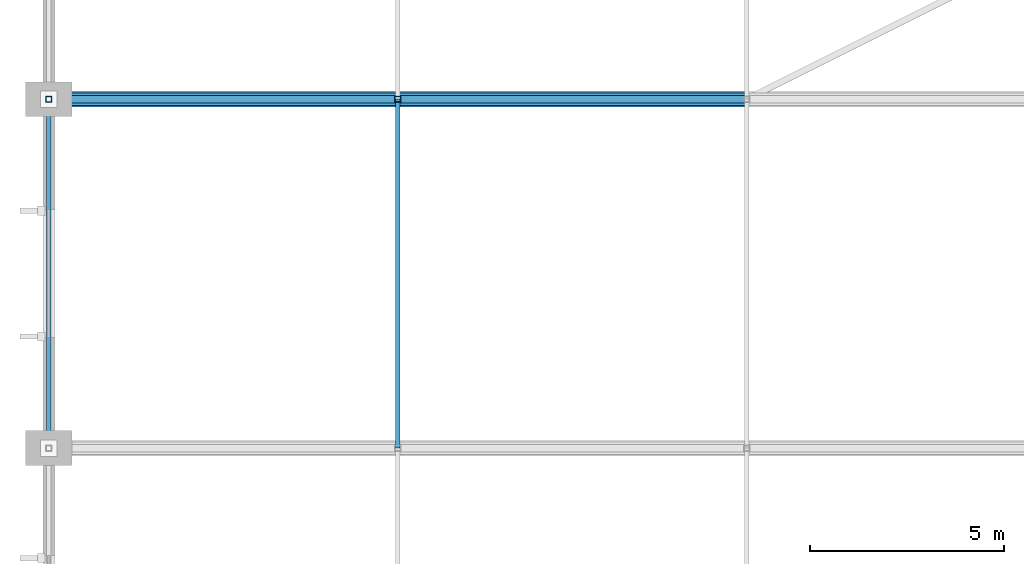
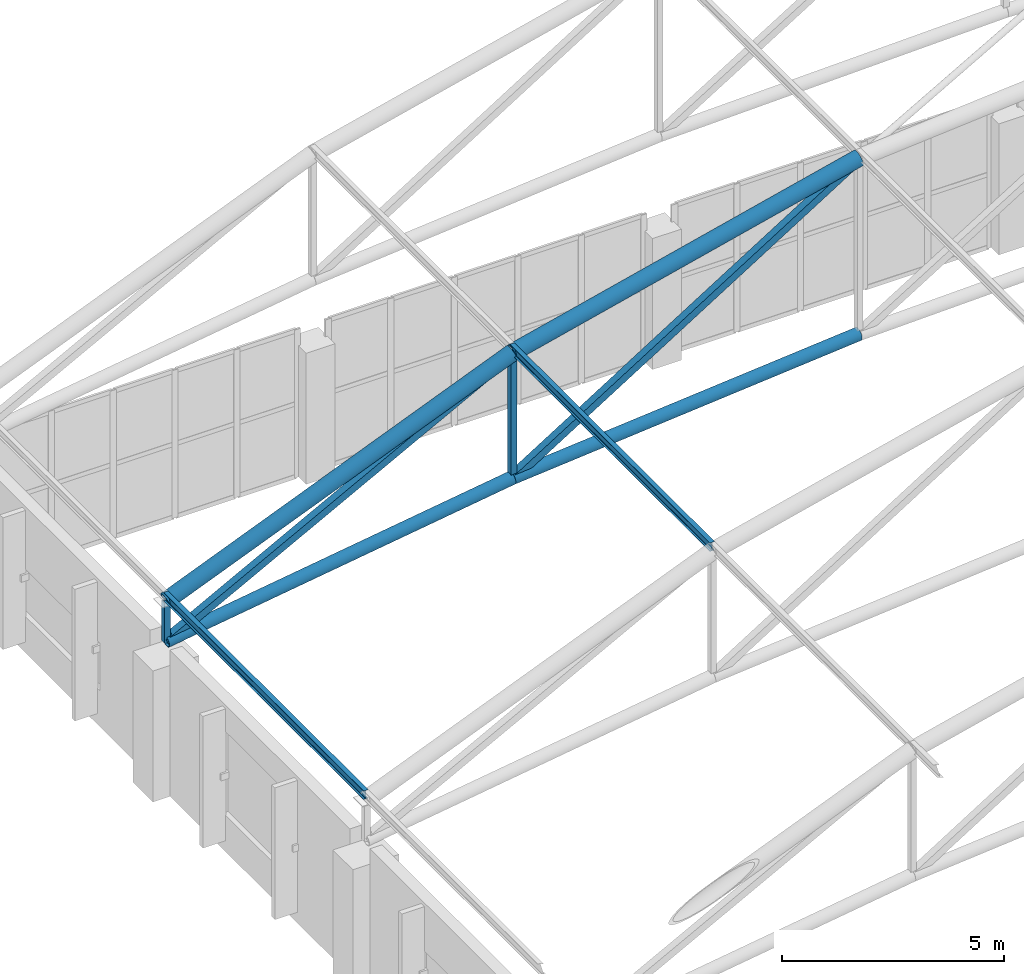
# One storey, part 56 of 167: 10 members.
"""IFC4 building model written with IfcOpenShell, lengths in metres."""

from ifc_helpers import new_model, si_unit, direction, frame, origin, origin_2d, place, context, subcontext, project, spatial, hollow_rectangle, hollow_circle, i_section, extrude, material, material_profile, profile_set, type_object, element, save


model = new_model("IFC4")

# Units and contexts
model_context = context("Model", 3, precision=1e-05, world=origin(), true_north=direction((0.0, 1.0)))
body_context = subcontext(model_context, "Body", "Model", "MODEL_VIEW")
ifc_project = project(units=[si_unit("LENGTHUNIT", "METRE"), si_unit("AREAUNIT", "SQUARE_METRE"), si_unit("VOLUMEUNIT", "CUBIC_METRE"), si_unit("PLANEANGLEUNIT", "RADIAN"), si_unit("MASSUNIT", "GRAM", prefix="KILO")], contexts=[model_context])

# Site, building, storey
site_placement = place(None, origin())
site = spatial("IfcSite", under=ifc_project, at=site_placement, CompositionType="ELEMENT")
building_placement = place(site_placement, origin())
building = spatial("IfcBuilding", under=site, at=building_placement, Name="Dornveld Trade and Exhibition Forum", CompositionType="ELEMENT")
storey_placement = place(building_placement, frame((0.0, 0.0, 16.800048828125)))
storey = spatial("IfcBuildingStorey", under=building, at=storey_placement, Name="L03", CompositionType="ELEMENT", Elevation=16.800048828125)

# Members
ifc_material_1 = material(Name="Steel S355J2", Category="steel")
ifc_material_profile_1 = material_profile(ifc_material_1, hollow_circle(Radius=0.161865234375, WallThickness=0.01611328125, at=origin_2d()), Name="CHS 323.9x16")
ifc_profile_set_1 = profile_set([ifc_material_profile_1], Name="Steel S355J2")
member_type_1 = type_object("IfcMemberType", Name="MEM-ARCH-BC", PredefinedType="CHORD", material=ifc_profile_set_1)
member_1_placement = place(storey_placement, frame((27.0, 126.0, 3.949951171875), z_axis=(0.989204758987, 0.0, 0.146539908551), x_axis=(0.0, 1.0, 0.0)))
element("IfcMember", 1, at=member_1_placement, inside=storey, type_object=member_type_1, Name="H3 truss 11 tie chord 1", PredefinedType="CHORD", context=body_context, shape_type="SweptSolid", body=[
    extrude(hollow_circle(Radius=0.161865234375, WallThickness=0.01611328125, at=origin_2d()), origin(), (0.0, 0.0, 1.0), 9.09814453125),
])
member_2_placement = place(storey_placement, frame((36.0, 126.0, 5.283203125), z_axis=(0.996072164085, 0.0, 0.088545151956), x_axis=(0.0, 1.0, 0.0)))
element("IfcMember", 2, at=member_2_placement, inside=storey, type_object=member_type_1, Name="H3 truss 11 tie chord 2", PredefinedType="CHORD", context=body_context, shape_type="SweptSolid", body=[
    extrude(hollow_circle(Radius=0.161865234375, WallThickness=0.01611328125, at=origin_2d()), origin(), (0.0, 0.0, 1.0), 9.035400390625),
])
ifc_material_2 = material(Name="Steel S355J2", Category="steel")
ifc_material_profile_2 = material_profile(ifc_material_2, hollow_rectangle(XDim=0.14990234375, YDim=0.14990234375, WallThickness=0.008056640625, at=origin_2d()), Name="SHS 150x150x8")
ifc_profile_set_2 = profile_set([ifc_material_profile_2], Name="Steel S355J2")
member_type_2 = type_object("IfcMemberType", Name="MEM-ARCH-STR", PredefinedType="STRUT", material=ifc_profile_set_2)
member_3_placement = place(storey_placement, frame((27.0, 126.0, 3.949951171875), z_axis=(0.0, 0.0, 1.0), x_axis=(1.0, 0.0, 0.0)))
element("IfcMember", 3, at=member_3_placement, inside=storey, type_object=member_type_2, Name="H3 truss 11 strut 1", PredefinedType="STRUT", context=body_context, shape_type="SweptSolid", body=[
    extrude(hollow_rectangle(XDim=0.14990234375, YDim=0.14990234375, WallThickness=0.008056640625, at=origin_2d()), origin(), (0.0, 0.0, 1.0), 1.10009765625),
])
member_4_placement = place(storey_placement, frame((36.0, 126.0, 5.283203125), z_axis=(0.0, 0.0, 1.0), x_axis=(1.0, 0.0, 0.0)))
element("IfcMember", 4, at=member_4_placement, inside=storey, type_object=member_type_2, Name="H3 truss 11 strut 2", PredefinedType="STRUT", context=body_context, shape_type="SweptSolid", body=[
    extrude(hollow_rectangle(XDim=0.14990234375, YDim=0.14990234375, WallThickness=0.008056640625, at=origin_2d()), origin(), (0.0, 0.0, 1.0), 3.433349609375),
])
ifc_material_3 = material(Name="Steel S355J2", Category="steel")
ifc_material_profile_3 = material_profile(ifc_material_3, hollow_circle(Radius=0.203125, WallThickness=0.02001953125, at=origin_2d()), Name="CHS 406.4x20")
ifc_profile_set_3 = profile_set([ifc_material_profile_3], Name="Steel S355J2")
member_type_3 = type_object("IfcMemberType", Name="MEM-ARCH-TC", PredefinedType="CHORD", material=ifc_profile_set_3)
member_5_placement = place(storey_placement, frame((27.0, 126.0, 5.050048828125), z_axis=(0.926098211611, 0.0, 0.377282523383), x_axis=(0.0, 1.0, 0.0)))
element("IfcMember", 5, at=member_5_placement, inside=storey, type_object=member_type_3, Name="H3 truss 11 top chord 1", PredefinedType="CHORD", context=body_context, shape_type="SweptSolid", body=[
    extrude(hollow_circle(Radius=0.203125, WallThickness=0.02001953125, at=origin_2d()), origin(), (0.0, 0.0, 1.0), 9.71826171875),
])
member_6_placement = place(storey_placement, frame((36.0, 126.0, 8.716552734375), z_axis=(0.971394143806, 0.0, 0.237472982421), x_axis=(0.0, 1.0, 0.0)))
element("IfcMember", 6, at=member_6_placement, inside=storey, type_object=member_type_3, Name="H3 truss 11 top chord 2", PredefinedType="CHORD", context=body_context, shape_type="SweptSolid", body=[
    extrude(hollow_circle(Radius=0.203125, WallThickness=0.02001953125, at=origin_2d()), origin(), (0.0, 0.0, 1.0), 9.26513671875),
])
ifc_material_4 = material(Name="Steel S355J2", Category="steel")
ifc_material_profile_4 = material_profile(ifc_material_4, hollow_rectangle(XDim=0.199951171875, YDim=0.199951171875, WallThickness=0.010009765625, at=origin_2d()), Name="SHS 200x200x10")
ifc_profile_set_4 = profile_set([ifc_material_profile_4], Name="Steel S355J2")
member_type_4 = type_object("IfcMemberType", Name="MEM-ARCH-WEB", PredefinedType="BRACE", material=ifc_profile_set_4)
member_7_placement = place(storey_placement, frame((27.0, 126.0, 3.949951171875), z_axis=(0.883710934211, 0.0, 0.468033102201), x_axis=(0.0, 1.0, 0.0)))
element("IfcMember", 7, at=member_7_placement, inside=storey, type_object=member_type_4, Name="H3 truss 11 web 1", PredefinedType="BRACE", context=body_context, shape_type="SweptSolid", body=[
    extrude(hollow_rectangle(XDim=0.199951171875, YDim=0.199951171875, WallThickness=0.010009765625, at=origin_2d()), origin(), (0.0, 0.0, 1.0), 10.184326171875),
])
member_8_placement = place(storey_placement, frame((36.0, 126.0, 5.283203125), z_axis=(0.84763640931, 0.0, 0.53057753214), x_axis=(0.0, 1.0, 0.0)))
element("IfcMember", 8, at=member_8_placement, inside=storey, type_object=member_type_4, Name="H3 truss 11 web 2", PredefinedType="BRACE", context=body_context, shape_type="SweptSolid", body=[
    extrude(hollow_rectangle(XDim=0.199951171875, YDim=0.199951171875, WallThickness=0.010009765625, at=origin_2d()), origin(), (0.0, 0.0, 1.0), 10.61767578125),
])
ifc_material_5 = material(Name="Steel S355J2", Category="steel")
ifc_material_profile_5 = material_profile(ifc_material_5, i_section(OverallWidth=0.1201171875, OverallDepth=0.239990234375, WebThickness=0.006103515625, FlangeThickness=0.009765625, FilletRadius=0.014892578125, at=origin_2d()), Name="IPE 240")
ifc_profile_set_5 = profile_set([ifc_material_profile_5], Name="Steel S355J2")
member_type_5 = type_object("IfcMemberType", Name="MEM-PURLIN-240", PredefinedType="PURLIN", material=ifc_profile_set_5)
for number, where, z_axis, x_axis, name in (
    (9, (27.0, 117.0, 5.181884765625), (0.0, 1.0, 0.0), (-1.0, 0.0, 0.0), "H3 bay 10 roof purlin 1"),
    (10, (36.0, 117.0, 8.8486328125), (0.0, 1.0, 0.0), (-1.0, 0.0, 0.0), "H3 bay 10 roof purlin 2"),
):
    element("IfcMember", number, at=place(storey_placement, frame(where, z_axis=z_axis, x_axis=x_axis)), inside=storey, type_object=member_type_5, Name=name, PredefinedType="PURLIN", context=body_context, shape_type="SweptSolid", body=[
        extrude(i_section(OverallWidth=0.1201171875, OverallDepth=0.239990234375, WebThickness=0.006103515625, FlangeThickness=0.009765625, FilletRadius=0.014892578125, at=origin_2d()), origin(), (0.0, 0.0, 1.0), 9.0),
    ])

save(model, "model.ifc")
